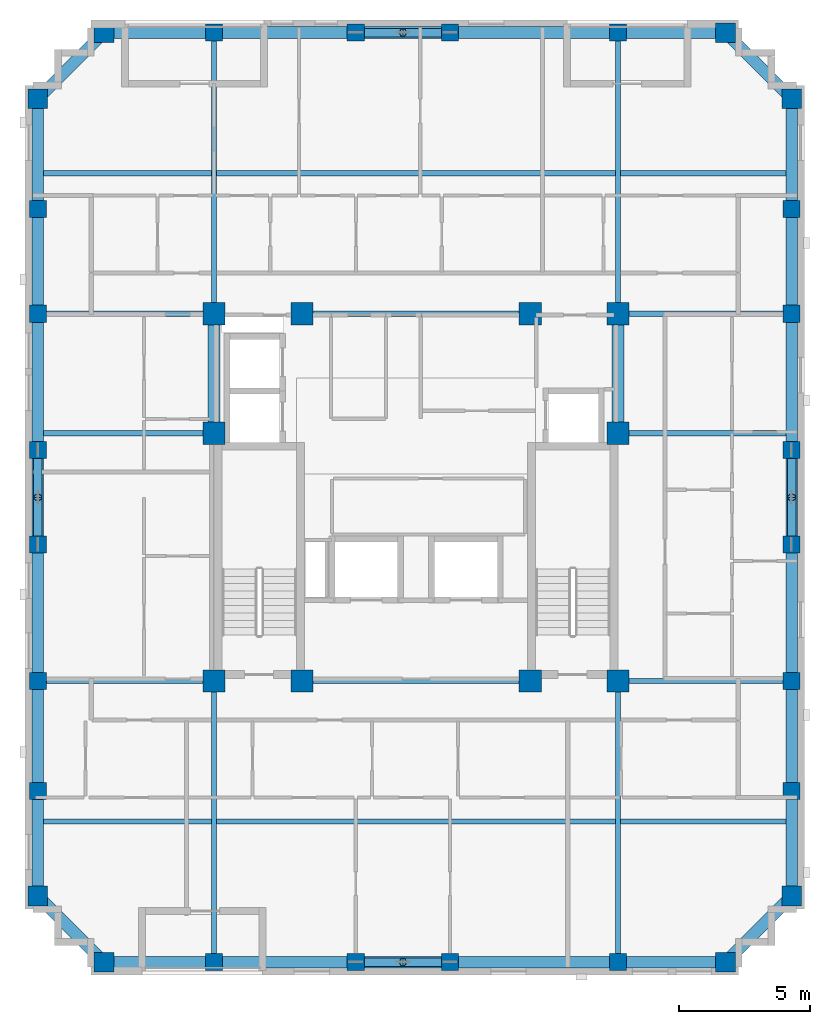
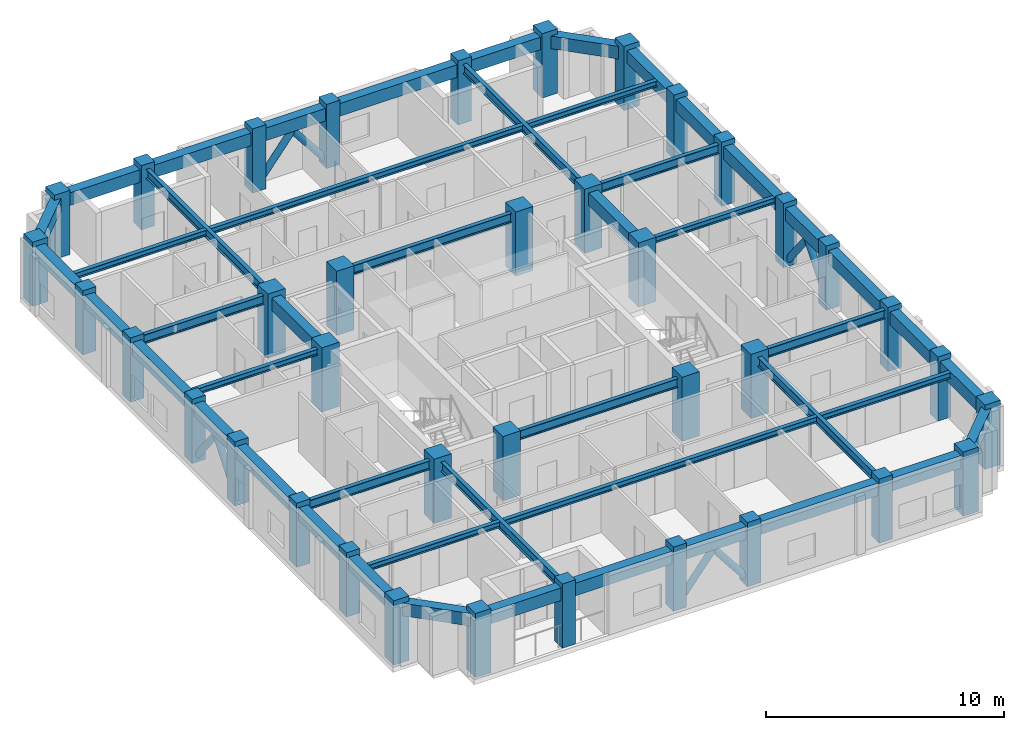
# One storey, part 1 of 10: 48 beams, 38 columns, 8 members.
"""IFC4 building model written with IfcOpenShell, lengths in metres."""

from ifc_helpers import new_model, si_unit, derived_unit, direction, frame, origin, origin_2d, place, context, subcontext, project, spatial, rectangle, hollow_circle, i_section, extrude, material, material_profile, profile_set, type_object, element, save


model = new_model("IFC4")

# Units and contexts
model_context = context("Model", 3, precision=1e-05, world=origin(), true_north=direction((0.0, 1.0)))
body_context = subcontext(model_context, "Body", "Model", "MODEL_VIEW")
ifc_project = project(units=[si_unit("LENGTHUNIT", "METRE"), si_unit("AREAUNIT", "SQUARE_METRE"), si_unit("VOLUMEUNIT", "CUBIC_METRE"), si_unit("PLANEANGLEUNIT", "RADIAN"), si_unit("MASSUNIT", "GRAM", prefix="KILO"), derived_unit("THERMALTRANSMITTANCEUNIT", [(si_unit("MASSUNIT", "GRAM", prefix="KILO"), 1), (si_unit("TIMEUNIT", "SECOND"), -3), (si_unit("THERMODYNAMICTEMPERATUREUNIT", "KELVIN"), -1)])], contexts=[model_context])

# Site, building, storey
site_placement = place(None, origin())
site = spatial("IfcSite", under=ifc_project, at=site_placement, CompositionType="ELEMENT")
building_placement = place(site_placement, origin())
building = spatial("IfcBuilding", under=site, at=building_placement, Name="Korrvale Station Residences", CompositionType="ELEMENT")
storey_placement = place(building_placement, frame((0.0, 0.0, 207.39990234375)))
storey = spatial("IfcBuildingStorey", under=building, at=storey_placement, Name="L60", CompositionType="ELEMENT", Elevation=207.39990234375)

# Columns
ifc_material_1 = material(Name="Concrete C50/60", Category="concrete")
ifc_material_profile_1 = material_profile(ifc_material_1, rectangle(XDim=0.64990234375, YDim=0.64990234375, at=origin_2d()), Name="RC650x650")
ifc_profile_set_1 = profile_set([ifc_material_profile_1], Name="Concrete C50/60")
column_type_1 = type_object("IfcColumnType", Name="COL-C-RC650x650-C5060", PredefinedType="COLUMN", material=ifc_profile_set_1)
for number, where, z_axis, x_axis, name in (
    (1, (17.800048828125, 4.280029296875, 0.0), (0.0, 0.0, 1.0), (1.0, 0.0, 0.0), "L60 Bundled-Tube South Column 02"),
    (2, (23.199951171875, 4.280029296875, 0.0), (0.0, 0.0, 1.0), (1.0, 0.0, 0.0), "L60 Bundled-Tube South Column 03"),
    (3, (26.800048828125, 4.280029296875, 0.0), (0.0, 0.0, 1.0), (1.0, 0.0, 0.0), "L60 Bundled-Tube South Column 04"),
    (4, (33.199951171875, 4.280029296875, 0.0), (0.0, 0.0, 1.0), (1.0, 0.0, 0.0), "L60 Bundled-Tube South Column 05"),
    (5, (17.800048828125, 39.719970703125, 0.0), (0.0, 0.0, 1.0), (1.0, 0.0, 0.0), "L60 Bundled-Tube North Column 08"),
    (6, (23.199951171875, 39.719970703125, 0.0), (0.0, 0.0, 1.0), (1.0, 0.0, 0.0), "L60 Bundled-Tube North Column 09"),
    (7, (26.800048828125, 39.719970703125, 0.0), (0.0, 0.0, 1.0), (1.0, 0.0, 0.0), "L60 Bundled-Tube North Column 10"),
    (8, (33.199951171875, 39.719970703125, 0.0), (0.0, 0.0, 1.0), (1.0, 0.0, 0.0), "L60 Bundled-Tube North Column 11"),
    (9, (11.080078125, 10.800048828125, 0.0), (0.0, 0.0, 1.0), (1.0, 0.0, 0.0), "L60 Bundled-Tube West Column 14"),
    (10, (11.080078125, 15.0, 0.0), (0.0, 0.0, 1.0), (1.0, 0.0, 0.0), "L60 Bundled-Tube West Column 15"),
    (11, (11.080078125, 20.199951171875, 0.0), (0.0, 0.0, 1.0), (1.0, 0.0, 0.0), "L60 Bundled-Tube West Column 16"),
    (12, (11.080078125, 23.800048828125, 0.0), (0.0, 0.0, 1.0), (1.0, 0.0, 0.0), "L60 Bundled-Tube West Column 17"),
    (13, (11.080078125, 29.0, 0.0), (0.0, 0.0, 1.0), (1.0, 0.0, 0.0), "L60 Bundled-Tube West Column 18"),
    (14, (11.080078125, 33.0, 0.0), (0.0, 0.0, 1.0), (1.0, 0.0, 0.0), "L60 Bundled-Tube West Column 19"),
    (15, (39.820068359375, 10.800048828125, 0.0), (0.0, 0.0, 1.0), (1.0, 0.0, 0.0), "L60 Bundled-Tube East Column 22"),
    (16, (39.820068359375, 15.0, 0.0), (0.0, 0.0, 1.0), (1.0, 0.0, 0.0), "L60 Bundled-Tube East Column 23"),
    (17, (39.820068359375, 20.199951171875, 0.0), (0.0, 0.0, 1.0), (1.0, 0.0, 0.0), "L60 Bundled-Tube East Column 24"),
    (18, (39.820068359375, 23.800048828125, 0.0), (0.0, 0.0, 1.0), (1.0, 0.0, 0.0), "L60 Bundled-Tube East Column 25"),
    (19, (39.820068359375, 29.0, 0.0), (0.0, 0.0, 1.0), (1.0, 0.0, 0.0), "L60 Bundled-Tube East Column 26"),
    (20, (39.820068359375, 33.0, 0.0), (0.0, 0.0, 1.0), (1.0, 0.0, 0.0), "L60 Bundled-Tube East Column 27"),
):
    element("IfcColumn", number, at=place(storey_placement, frame(where, z_axis=z_axis, x_axis=x_axis)), inside=storey, type_object=column_type_1, Name=name, PredefinedType="COLUMN", context=body_context, shape_type="SweptSolid", body=[
        extrude(rectangle(XDim=0.64990234375, YDim=0.64990234375, at=origin_2d()), origin(), (0.0, 0.0, 1.0), 3.300048828125),
    ])
ifc_material_profile_2 = material_profile(ifc_material_1, rectangle(XDim=0.75, YDim=0.75, at=origin_2d()), Name="RC750x750")
ifc_profile_set_2 = profile_set([ifc_material_profile_2], Name="Concrete C50/60")
column_type_2 = type_object("IfcColumnType", Name="COL-C-RC750x750-C5060", PredefinedType="COLUMN", material=ifc_profile_set_2)
for number, where, z_axis, x_axis, name in (
    (21, (13.60009765625, 4.280029296875, 0.0), (0.0, 0.0, 1.0), (1.0, 0.0, 0.0), "L60 Bundled-Tube South Column 01"),
    (22, (37.300048828125, 4.280029296875, 0.0), (0.0, 0.0, 1.0), (1.0, 0.0, 0.0), "L60 Bundled-Tube South Column 06"),
    (23, (13.60009765625, 39.719970703125, 0.0), (0.0, 0.0, 1.0), (1.0, 0.0, 0.0), "L60 Bundled-Tube North Column 07"),
    (24, (37.300048828125, 39.719970703125, 0.0), (0.0, 0.0, 1.0), (1.0, 0.0, 0.0), "L60 Bundled-Tube North Column 12"),
    (25, (11.080078125, 6.800048828125, 0.0), (0.0, 0.0, 1.0), (1.0, 0.0, 0.0), "L60 Bundled-Tube West Column 13"),
    (26, (11.080078125, 37.199951171875, 0.0), (0.0, 0.0, 1.0), (1.0, 0.0, 0.0), "L60 Bundled-Tube West Column 20"),
    (27, (39.820068359375, 6.800048828125, 0.0), (0.0, 0.0, 1.0), (1.0, 0.0, 0.0), "L60 Bundled-Tube East Column 21"),
    (28, (39.820068359375, 37.199951171875, 0.0), (0.0, 0.0, 1.0), (1.0, 0.0, 0.0), "L60 Bundled-Tube East Column 28"),
):
    element("IfcColumn", number, at=place(storey_placement, frame(where, z_axis=z_axis, x_axis=x_axis)), inside=storey, type_object=column_type_2, Name=name, PredefinedType="COLUMN", context=body_context, shape_type="SweptSolid", body=[
        extrude(rectangle(XDim=0.75, YDim=0.75, at=origin_2d()), origin(), (0.0, 0.0, 1.0), 3.300048828125),
    ])
ifc_material_profile_3 = material_profile(ifc_material_1, rectangle(XDim=0.85009765625, YDim=0.85009765625, at=origin_2d()), Name="RC850x850")
ifc_profile_set_3 = profile_set([ifc_material_profile_3], Name="Concrete C50/60")
column_type_3 = type_object("IfcColumnType", Name="COL-C-RC850x850-C5060", PredefinedType="COLUMN", material=ifc_profile_set_3)
for number, where, z_axis, x_axis, name in (
    (29, (17.800048828125, 15.0, 0.0), (0.0, 0.0, 1.0), (1.0, 0.0, 0.0), "L60 Core Column 01"),
    (30, (21.14990234375, 15.0, 0.0), (0.0, 0.0, 1.0), (1.0, 0.0, 0.0), "L60 Core Column 02"),
    (31, (29.85009765625, 15.0, 0.0), (0.0, 0.0, 1.0), (1.0, 0.0, 0.0), "L60 Core Column 03"),
    (32, (33.199951171875, 15.0, 0.0), (0.0, 0.0, 1.0), (1.0, 0.0, 0.0), "L60 Core Column 04"),
    (33, (17.800048828125, 29.0, 0.0), (0.0, 0.0, 1.0), (1.0, 0.0, 0.0), "L60 Core Column 05"),
    (34, (21.14990234375, 29.0, 0.0), (0.0, 0.0, 1.0), (1.0, 0.0, 0.0), "L60 Core Column 06"),
    (35, (29.85009765625, 29.0, 0.0), (0.0, 0.0, 1.0), (1.0, 0.0, 0.0), "L60 Core Column 07"),
    (36, (33.199951171875, 29.0, 0.0), (0.0, 0.0, 1.0), (1.0, 0.0, 0.0), "L60 Core Column 08"),
    (37, (17.800048828125, 24.449951171875, 0.0), (0.0, 0.0, 1.0), (1.0, 0.0, 0.0), "L60 Core Column 09"),
    (38, (33.199951171875, 24.449951171875, 0.0), (0.0, 0.0, 1.0), (1.0, 0.0, 0.0), "L60 Core Column 10"),
):
    element("IfcColumn", number, at=place(storey_placement, frame(where, z_axis=z_axis, x_axis=x_axis)), inside=storey, type_object=column_type_3, Name=name, PredefinedType="COLUMN", context=body_context, shape_type="SweptSolid", body=[
        extrude(rectangle(XDim=0.85009765625, YDim=0.85009765625, at=origin_2d()), origin(), (0.0, 0.0, 1.0), 3.300048828125),
    ])

# Beams
ifc_material_2 = material(Name="Steel S355", Category="steel")
ifc_material_profile_4 = material_profile(ifc_material_2, i_section(OverallWidth=0.194091796875, OverallDepth=0.468994140625, WebThickness=0.0126953125, FlangeThickness=0.0205078125, FilletRadius=0.01611328125, at=origin_2d()), Name="W460x106")
ifc_profile_set_4 = profile_set([ifc_material_profile_4], Name="Steel S355")
beam_type_1 = type_object("IfcBeamType", Name="BM-BM-W460x106-S355", PredefinedType="BEAM", material=ifc_profile_set_4)
for number, where, z_axis, x_axis, name in (
    (39, (17.800048828125, 4.280029296875, 2.8056640625), (0.0, 1.0, 0.0), (-1.0, 0.0, 0.0), "L60 Bundled-Tube Web Girder 01"),
    (40, (33.199951171875, 4.280029296875, 2.8056640625), (0.0, 1.0, 0.0), (-1.0, 0.0, 0.0), "L60 Bundled-Tube Web Girder 02"),
    (41, (17.800048828125, 29.0, 2.8056640625), (0.0, 1.0, 0.0), (-1.0, 0.0, 0.0), "L60 Bundled-Tube Web Girder 03"),
    (42, (33.199951171875, 29.0, 2.8056640625), (0.0, 1.0, 0.0), (-1.0, 0.0, 0.0), "L60 Bundled-Tube Web Girder 04"),
):
    element("IfcBeam", number, at=place(storey_placement, frame(where, z_axis=z_axis, x_axis=x_axis)), inside=storey, type_object=beam_type_1, Name=name, PredefinedType="BEAM", context=body_context, shape_type="SweptSolid", body=[
        extrude(i_section(OverallWidth=0.194091796875, OverallDepth=0.468994140625, WebThickness=0.0126953125, FlangeThickness=0.0205078125, FilletRadius=0.01611328125, at=origin_2d()), origin(), (0.0, 0.0, 1.0), 10.719970703125),
    ])
beam_1_placement = place(storey_placement, frame((11.080078125, 15.0, 2.8056640625), z_axis=(1.0, 0.0, 0.0), x_axis=(0.0, 1.0, 0.0)))
element("IfcBeam", 43, at=beam_1_placement, inside=storey, type_object=beam_type_1, Name="L60 Bundled-Tube Web Girder 05", PredefinedType="BEAM", context=body_context, shape_type="SweptSolid", body=[
    extrude(i_section(OverallWidth=0.194091796875, OverallDepth=0.468994140625, WebThickness=0.0126953125, FlangeThickness=0.0205078125, FilletRadius=0.01611328125, at=origin_2d()), origin(), (0.0, 0.0, 1.0), 6.719970703125),
])
beam_2_placement = place(storey_placement, frame((33.199951171875, 15.0, 2.8056640625), z_axis=(1.0, 0.0, 0.0), x_axis=(0.0, 1.0, 0.0)))
element("IfcBeam", 44, at=beam_2_placement, inside=storey, type_object=beam_type_1, Name="L60 Bundled-Tube Web Girder 06", PredefinedType="BEAM", context=body_context, shape_type="SweptSolid", body=[
    extrude(i_section(OverallWidth=0.194091796875, OverallDepth=0.468994140625, WebThickness=0.0126953125, FlangeThickness=0.0205078125, FilletRadius=0.01611328125, at=origin_2d()), origin(), (0.0, 0.0, 1.0), 6.6201171875),
])
beam_3_placement = place(storey_placement, frame((11.080078125, 29.0, 2.8056640625), z_axis=(1.0, 0.0, 0.0), x_axis=(0.0, 1.0, 0.0)))
element("IfcBeam", 45, at=beam_3_placement, inside=storey, type_object=beam_type_1, Name="L60 Bundled-Tube Web Girder 07", PredefinedType="BEAM", context=body_context, shape_type="SweptSolid", body=[
    extrude(i_section(OverallWidth=0.194091796875, OverallDepth=0.468994140625, WebThickness=0.0126953125, FlangeThickness=0.0205078125, FilletRadius=0.01611328125, at=origin_2d()), origin(), (0.0, 0.0, 1.0), 6.719970703125),
])
beam_4_placement = place(storey_placement, frame((33.199951171875, 29.0, 2.8056640625), z_axis=(1.0, 0.0, 0.0), x_axis=(0.0, 1.0, 0.0)))
element("IfcBeam", 46, at=beam_4_placement, inside=storey, type_object=beam_type_1, Name="L60 Bundled-Tube Web Girder 08", PredefinedType="BEAM", context=body_context, shape_type="SweptSolid", body=[
    extrude(i_section(OverallWidth=0.194091796875, OverallDepth=0.468994140625, WebThickness=0.0126953125, FlangeThickness=0.0205078125, FilletRadius=0.01611328125, at=origin_2d()), origin(), (0.0, 0.0, 1.0), 6.6201171875),
])
for number, where, z_axis, x_axis, name in (
    (47, (21.14990234375, 15.0, 2.8056640625), (1.0, 0.0, 0.0), (0.0, 1.0, 0.0), "L60 Bundled-Tube Web Girder 09"),
    (48, (21.14990234375, 29.0, 2.8056640625), (1.0, 0.0, 0.0), (0.0, 1.0, 0.0), "L60 Bundled-Tube Web Girder 10"),
):
    element("IfcBeam", number, at=place(storey_placement, frame(where, z_axis=z_axis, x_axis=x_axis)), inside=storey, type_object=beam_type_1, Name=name, PredefinedType="BEAM", context=body_context, shape_type="SweptSolid", body=[
        extrude(i_section(OverallWidth=0.194091796875, OverallDepth=0.468994140625, WebThickness=0.0126953125, FlangeThickness=0.0205078125, FilletRadius=0.01611328125, at=origin_2d()), origin(), (0.0, 0.0, 1.0), 8.7001953125),
    ])
ifc_material_profile_5 = material_profile(ifc_material_2, i_section(OverallWidth=0.202880859375, OverallDepth=0.302978515625, WebThickness=0.007568359375, FlangeThickness=0.01318359375, FilletRadius=0.014892578125, at=origin_2d()), Name="W310x60")
ifc_profile_set_5 = profile_set([ifc_material_profile_5], Name="Steel S355")
beam_type_2 = type_object("IfcBeamType", Name="BM-JST-W310x60-S355", PredefinedType="JOIST", material=ifc_profile_set_5)
beam_5_placement = place(storey_placement, frame((11.304931640625, 9.639892578125, 2.888671875), z_axis=(1.0, 0.0, 0.0), x_axis=(0.0, 1.0, 0.0)))
element("IfcBeam", 49, at=beam_5_placement, inside=storey, type_object=beam_type_2, Name="L60 Floor Framing Joist 01", PredefinedType="JOIST", context=body_context, shape_type="SweptSolid", body=[
    extrude(i_section(OverallWidth=0.202880859375, OverallDepth=0.302978515625, WebThickness=0.007568359375, FlangeThickness=0.01318359375, FilletRadius=0.014892578125, at=origin_2d()), origin(), (0.0, 0.0, 1.0), 6.39794921875),
])
beam_6_placement = place(storey_placement, frame((17.89697265625, 9.639892578125, 2.888671875), z_axis=(1.0, 0.0, 0.0), x_axis=(0.0, 1.0, 0.0)))
element("IfcBeam", 50, at=beam_6_placement, inside=storey, type_object=beam_type_2, Name="L60 Floor Framing Joist 02", PredefinedType="JOIST", context=body_context, shape_type="SweptSolid", body=[
    extrude(i_section(OverallWidth=0.202880859375, OverallDepth=0.302978515625, WebThickness=0.007568359375, FlangeThickness=0.01318359375, FilletRadius=0.014892578125, at=origin_2d()), origin(), (0.0, 0.0, 1.0), 15.2060546875),
])
beam_7_placement = place(storey_placement, frame((33.297119140625, 9.639892578125, 2.888671875), z_axis=(1.0, 0.0, 0.0), x_axis=(0.0, 1.0, 0.0)))
element("IfcBeam", 51, at=beam_7_placement, inside=storey, type_object=beam_type_2, Name="L60 Floor Framing Joist 03", PredefinedType="JOIST", context=body_context, shape_type="SweptSolid", body=[
    extrude(i_section(OverallWidth=0.202880859375, OverallDepth=0.302978515625, WebThickness=0.007568359375, FlangeThickness=0.01318359375, FilletRadius=0.014892578125, at=origin_2d()), origin(), (0.0, 0.0, 1.0), 6.2978515625),
])
beam_8_placement = place(storey_placement, frame((11.304931640625, 34.360107421875, 2.888671875), z_axis=(1.0, 0.0, 0.0), x_axis=(0.0, 1.0, 0.0)))
element("IfcBeam", 52, at=beam_8_placement, inside=storey, type_object=beam_type_2, Name="L60 Floor Framing Joist 04", PredefinedType="JOIST", context=body_context, shape_type="SweptSolid", body=[
    extrude(i_section(OverallWidth=0.202880859375, OverallDepth=0.302978515625, WebThickness=0.007568359375, FlangeThickness=0.01318359375, FilletRadius=0.014892578125, at=origin_2d()), origin(), (0.0, 0.0, 1.0), 6.39794921875),
])
beam_9_placement = place(storey_placement, frame((17.89697265625, 34.360107421875, 2.888671875), z_axis=(1.0, 0.0, 0.0), x_axis=(0.0, 1.0, 0.0)))
element("IfcBeam", 53, at=beam_9_placement, inside=storey, type_object=beam_type_2, Name="L60 Floor Framing Joist 05", PredefinedType="JOIST", context=body_context, shape_type="SweptSolid", body=[
    extrude(i_section(OverallWidth=0.202880859375, OverallDepth=0.302978515625, WebThickness=0.007568359375, FlangeThickness=0.01318359375, FilletRadius=0.014892578125, at=origin_2d()), origin(), (0.0, 0.0, 1.0), 15.2060546875),
])
beam_10_placement = place(storey_placement, frame((33.297119140625, 34.360107421875, 2.888671875), z_axis=(1.0, 0.0, 0.0), x_axis=(0.0, 1.0, 0.0)))
element("IfcBeam", 54, at=beam_10_placement, inside=storey, type_object=beam_type_2, Name="L60 Floor Framing Joist 06", PredefinedType="JOIST", context=body_context, shape_type="SweptSolid", body=[
    extrude(i_section(OverallWidth=0.202880859375, OverallDepth=0.302978515625, WebThickness=0.007568359375, FlangeThickness=0.01318359375, FilletRadius=0.014892578125, at=origin_2d()), origin(), (0.0, 0.0, 1.0), 6.2978515625),
])
beam_11_placement = place(storey_placement, frame((33.425048828125, 24.449951171875, 2.888671875), z_axis=(1.0, 0.0, 0.0), x_axis=(0.0, 1.0, 0.0)))
element("IfcBeam", 55, at=beam_11_placement, inside=storey, type_object=beam_type_2, Name="L60 Floor Framing Joist 07", PredefinedType="JOIST", context=body_context, shape_type="SweptSolid", body=[
    extrude(i_section(OverallWidth=0.202880859375, OverallDepth=0.302978515625, WebThickness=0.007568359375, FlangeThickness=0.01318359375, FilletRadius=0.014892578125, at=origin_2d()), origin(), (0.0, 0.0, 1.0), 6.169921875),
])
beam_12_placement = place(storey_placement, frame((11.304931640625, 24.449951171875, 2.888671875), z_axis=(1.0, 0.0, 0.0), x_axis=(0.0, 1.0, 0.0)))
element("IfcBeam", 56, at=beam_12_placement, inside=storey, type_object=beam_type_2, Name="L60 Floor Framing Joist 08", PredefinedType="JOIST", context=body_context, shape_type="SweptSolid", body=[
    extrude(i_section(OverallWidth=0.202880859375, OverallDepth=0.302978515625, WebThickness=0.007568359375, FlangeThickness=0.01318359375, FilletRadius=0.014892578125, at=origin_2d()), origin(), (0.0, 0.0, 1.0), 6.27001953125),
])
ifc_material_profile_6 = material_profile(ifc_material_1, rectangle(XDim=0.449951171875, YDim=0.64990234375, at=origin_2d()), Name="RCB450x650")
ifc_profile_set_6 = profile_set([ifc_material_profile_6], Name="Concrete C50/60")
beam_type_3 = type_object("IfcBeamType", Name="BM-LNT-RCB450x650-C5060", PredefinedType="LINTEL", material=ifc_profile_set_6)
for number, where, z_axis, x_axis, name in (
    (57, (17.800048828125, 24.449951171875, 2.715087890625), (0.0, 1.0, 0.0), (-1.0, 0.0, 0.0), "L60 Core Coupling Lintel 1"),
    (58, (33.199951171875, 24.449951171875, 2.715087890625), (0.0, 1.0, 0.0), (-1.0, 0.0, 0.0), "L60 Core Coupling Lintel 2"),
):
    element("IfcBeam", number, at=place(storey_placement, frame(where, z_axis=z_axis, x_axis=x_axis)), inside=storey, type_object=beam_type_3, Name=name, PredefinedType="LINTEL", context=body_context, shape_type="SweptSolid", body=[
        extrude(rectangle(XDim=0.449951171875, YDim=0.64990234375, at=origin_2d()), origin(), (0.0, 0.0, 1.0), 4.550048828125),
    ])
ifc_material_profile_7 = material_profile(ifc_material_1, rectangle(XDim=0.449951171875, YDim=0.64990234375, at=origin_2d()), Name="RCB450x650")
ifc_profile_set_7 = profile_set([ifc_material_profile_7], Name="Concrete C50/60")
beam_type_4 = type_object("IfcBeamType", Name="BM-SPB-RCB450x650-C5060", PredefinedType="SPANDREL", material=ifc_profile_set_7)
beam_13_placement = place(storey_placement, frame((13.60009765625, 4.280029296875, 2.715087890625), z_axis=(1.0, 0.0, 0.0), x_axis=(0.0, 1.0, 0.0)))
element("IfcBeam", 59, at=beam_13_placement, inside=storey, type_object=beam_type_4, Name="L60 South Tube Spandrel 01", PredefinedType="SPANDREL", context=body_context, shape_type="SweptSolid", body=[
    extrude(rectangle(XDim=0.449951171875, YDim=0.64990234375, at=origin_2d()), origin(), (0.0, 0.0, 1.0), 4.199951171875),
])
beam_14_placement = place(storey_placement, frame((17.800048828125, 4.280029296875, 2.715087890625), z_axis=(1.0, 0.0, 0.0), x_axis=(0.0, 1.0, 0.0)))
element("IfcBeam", 60, at=beam_14_placement, inside=storey, type_object=beam_type_4, Name="L60 South Tube Spandrel 02", PredefinedType="SPANDREL", context=body_context, shape_type="SweptSolid", body=[
    extrude(rectangle(XDim=0.449951171875, YDim=0.64990234375, at=origin_2d()), origin(), (0.0, 0.0, 1.0), 5.39990234375),
])
beam_15_placement = place(storey_placement, frame((23.199951171875, 4.280029296875, 2.715087890625), z_axis=(1.0, 0.0, 0.0), x_axis=(0.0, 1.0, 0.0)))
element("IfcBeam", 61, at=beam_15_placement, inside=storey, type_object=beam_type_4, Name="L60 South Tube Spandrel 03", PredefinedType="SPANDREL", context=body_context, shape_type="SweptSolid", body=[
    extrude(rectangle(XDim=0.449951171875, YDim=0.64990234375, at=origin_2d()), origin(), (0.0, 0.0, 1.0), 3.60009765625),
])
beam_16_placement = place(storey_placement, frame((26.800048828125, 4.280029296875, 2.715087890625), z_axis=(1.0, 0.0, 0.0), x_axis=(0.0, 1.0, 0.0)))
element("IfcBeam", 62, at=beam_16_placement, inside=storey, type_object=beam_type_4, Name="L60 South Tube Spandrel 04", PredefinedType="SPANDREL", context=body_context, shape_type="SweptSolid", body=[
    extrude(rectangle(XDim=0.449951171875, YDim=0.64990234375, at=origin_2d()), origin(), (0.0, 0.0, 1.0), 6.39990234375),
])
beam_17_placement = place(storey_placement, frame((33.199951171875, 4.280029296875, 2.715087890625), z_axis=(1.0, 0.0, 0.0), x_axis=(0.0, 1.0, 0.0)))
element("IfcBeam", 63, at=beam_17_placement, inside=storey, type_object=beam_type_4, Name="L60 South Tube Spandrel 05", PredefinedType="SPANDREL", context=body_context, shape_type="SweptSolid", body=[
    extrude(rectangle(XDim=0.449951171875, YDim=0.64990234375, at=origin_2d()), origin(), (0.0, 0.0, 1.0), 4.10009765625),
])
beam_18_placement = place(storey_placement, frame((13.60009765625, 39.719970703125, 2.715087890625), z_axis=(1.0, 0.0, 0.0), x_axis=(0.0, 1.0, 0.0)))
element("IfcBeam", 64, at=beam_18_placement, inside=storey, type_object=beam_type_4, Name="L60 North Tube Spandrel 06", PredefinedType="SPANDREL", context=body_context, shape_type="SweptSolid", body=[
    extrude(rectangle(XDim=0.449951171875, YDim=0.64990234375, at=origin_2d()), origin(), (0.0, 0.0, 1.0), 4.199951171875),
])
beam_19_placement = place(storey_placement, frame((17.800048828125, 39.719970703125, 2.715087890625), z_axis=(1.0, 0.0, 0.0), x_axis=(0.0, 1.0, 0.0)))
element("IfcBeam", 65, at=beam_19_placement, inside=storey, type_object=beam_type_4, Name="L60 North Tube Spandrel 07", PredefinedType="SPANDREL", context=body_context, shape_type="SweptSolid", body=[
    extrude(rectangle(XDim=0.449951171875, YDim=0.64990234375, at=origin_2d()), origin(), (0.0, 0.0, 1.0), 5.39990234375),
])
beam_20_placement = place(storey_placement, frame((23.199951171875, 39.719970703125, 2.715087890625), z_axis=(1.0, 0.0, 0.0), x_axis=(0.0, 1.0, 0.0)))
element("IfcBeam", 66, at=beam_20_placement, inside=storey, type_object=beam_type_4, Name="L60 North Tube Spandrel 08", PredefinedType="SPANDREL", context=body_context, shape_type="SweptSolid", body=[
    extrude(rectangle(XDim=0.449951171875, YDim=0.64990234375, at=origin_2d()), origin(), (0.0, 0.0, 1.0), 3.60009765625),
])
beam_21_placement = place(storey_placement, frame((26.800048828125, 39.719970703125, 2.715087890625), z_axis=(1.0, 0.0, 0.0), x_axis=(0.0, 1.0, 0.0)))
element("IfcBeam", 67, at=beam_21_placement, inside=storey, type_object=beam_type_4, Name="L60 North Tube Spandrel 09", PredefinedType="SPANDREL", context=body_context, shape_type="SweptSolid", body=[
    extrude(rectangle(XDim=0.449951171875, YDim=0.64990234375, at=origin_2d()), origin(), (0.0, 0.0, 1.0), 6.39990234375),
])
beam_22_placement = place(storey_placement, frame((33.199951171875, 39.719970703125, 2.715087890625), z_axis=(1.0, 0.0, 0.0), x_axis=(0.0, 1.0, 0.0)))
element("IfcBeam", 68, at=beam_22_placement, inside=storey, type_object=beam_type_4, Name="L60 North Tube Spandrel 10", PredefinedType="SPANDREL", context=body_context, shape_type="SweptSolid", body=[
    extrude(rectangle(XDim=0.449951171875, YDim=0.64990234375, at=origin_2d()), origin(), (0.0, 0.0, 1.0), 4.10009765625),
])
beam_23_placement = place(storey_placement, frame((11.080078125, 6.800048828125, 2.715087890625), z_axis=(0.0, 1.0, 0.0), x_axis=(-1.0, 0.0, 0.0)))
element("IfcBeam", 69, at=beam_23_placement, inside=storey, type_object=beam_type_4, Name="L60 West Tube Spandrel 11", PredefinedType="SPANDREL", context=body_context, shape_type="SweptSolid", body=[
    extrude(rectangle(XDim=0.449951171875, YDim=0.64990234375, at=origin_2d()), origin(), (0.0, 0.0, 1.0), 4.0),
])
beam_24_placement = place(storey_placement, frame((11.080078125, 10.800048828125, 2.715087890625), z_axis=(0.0, 1.0, 0.0), x_axis=(-1.0, 0.0, 0.0)))
element("IfcBeam", 70, at=beam_24_placement, inside=storey, type_object=beam_type_4, Name="L60 West Tube Spandrel 12", PredefinedType="SPANDREL", context=body_context, shape_type="SweptSolid", body=[
    extrude(rectangle(XDim=0.449951171875, YDim=0.64990234375, at=origin_2d()), origin(), (0.0, 0.0, 1.0), 4.199951171875),
])
beam_25_placement = place(storey_placement, frame((11.080078125, 15.0, 2.715087890625), z_axis=(0.0, 1.0, 0.0), x_axis=(-1.0, 0.0, 0.0)))
element("IfcBeam", 71, at=beam_25_placement, inside=storey, type_object=beam_type_4, Name="L60 West Tube Spandrel 13", PredefinedType="SPANDREL", context=body_context, shape_type="SweptSolid", body=[
    extrude(rectangle(XDim=0.449951171875, YDim=0.64990234375, at=origin_2d()), origin(), (0.0, 0.0, 1.0), 5.199951171875),
])
beam_26_placement = place(storey_placement, frame((11.080078125, 20.199951171875, 2.715087890625), z_axis=(0.0, 1.0, 0.0), x_axis=(-1.0, 0.0, 0.0)))
element("IfcBeam", 72, at=beam_26_placement, inside=storey, type_object=beam_type_4, Name="L60 West Tube Spandrel 14", PredefinedType="SPANDREL", context=body_context, shape_type="SweptSolid", body=[
    extrude(rectangle(XDim=0.449951171875, YDim=0.64990234375, at=origin_2d()), origin(), (0.0, 0.0, 1.0), 3.60009765625),
])
beam_27_placement = place(storey_placement, frame((11.080078125, 23.800048828125, 2.715087890625), z_axis=(0.0, 1.0, 0.0), x_axis=(-1.0, 0.0, 0.0)))
element("IfcBeam", 73, at=beam_27_placement, inside=storey, type_object=beam_type_4, Name="L60 West Tube Spandrel 15", PredefinedType="SPANDREL", context=body_context, shape_type="SweptSolid", body=[
    extrude(rectangle(XDim=0.449951171875, YDim=0.64990234375, at=origin_2d()), origin(), (0.0, 0.0, 1.0), 5.199951171875),
])
beam_28_placement = place(storey_placement, frame((11.080078125, 29.0, 2.715087890625), z_axis=(0.0, 1.0, 0.0), x_axis=(-1.0, 0.0, 0.0)))
element("IfcBeam", 74, at=beam_28_placement, inside=storey, type_object=beam_type_4, Name="L60 West Tube Spandrel 16", PredefinedType="SPANDREL", context=body_context, shape_type="SweptSolid", body=[
    extrude(rectangle(XDim=0.449951171875, YDim=0.64990234375, at=origin_2d()), origin(), (0.0, 0.0, 1.0), 4.0),
])
beam_29_placement = place(storey_placement, frame((11.080078125, 33.0, 2.715087890625), z_axis=(0.0, 1.0, 0.0), x_axis=(-1.0, 0.0, 0.0)))
element("IfcBeam", 75, at=beam_29_placement, inside=storey, type_object=beam_type_4, Name="L60 West Tube Spandrel 17", PredefinedType="SPANDREL", context=body_context, shape_type="SweptSolid", body=[
    extrude(rectangle(XDim=0.449951171875, YDim=0.64990234375, at=origin_2d()), origin(), (0.0, 0.0, 1.0), 4.199951171875),
])
beam_30_placement = place(storey_placement, frame((39.820068359375, 6.800048828125, 2.715087890625), z_axis=(0.0, 1.0, 0.0), x_axis=(-1.0, 0.0, 0.0)))
element("IfcBeam", 76, at=beam_30_placement, inside=storey, type_object=beam_type_4, Name="L60 East Tube Spandrel 18", PredefinedType="SPANDREL", context=body_context, shape_type="SweptSolid", body=[
    extrude(rectangle(XDim=0.449951171875, YDim=0.64990234375, at=origin_2d()), origin(), (0.0, 0.0, 1.0), 4.0),
])
beam_31_placement = place(storey_placement, frame((39.820068359375, 10.800048828125, 2.715087890625), z_axis=(0.0, 1.0, 0.0), x_axis=(-1.0, 0.0, 0.0)))
element("IfcBeam", 77, at=beam_31_placement, inside=storey, type_object=beam_type_4, Name="L60 East Tube Spandrel 19", PredefinedType="SPANDREL", context=body_context, shape_type="SweptSolid", body=[
    extrude(rectangle(XDim=0.449951171875, YDim=0.64990234375, at=origin_2d()), origin(), (0.0, 0.0, 1.0), 4.199951171875),
])
beam_32_placement = place(storey_placement, frame((39.820068359375, 15.0, 2.715087890625), z_axis=(0.0, 1.0, 0.0), x_axis=(-1.0, 0.0, 0.0)))
element("IfcBeam", 78, at=beam_32_placement, inside=storey, type_object=beam_type_4, Name="L60 East Tube Spandrel 20", PredefinedType="SPANDREL", context=body_context, shape_type="SweptSolid", body=[
    extrude(rectangle(XDim=0.449951171875, YDim=0.64990234375, at=origin_2d()), origin(), (0.0, 0.0, 1.0), 5.199951171875),
])
beam_33_placement = place(storey_placement, frame((39.820068359375, 20.199951171875, 2.715087890625), z_axis=(0.0, 1.0, 0.0), x_axis=(-1.0, 0.0, 0.0)))
element("IfcBeam", 79, at=beam_33_placement, inside=storey, type_object=beam_type_4, Name="L60 East Tube Spandrel 21", PredefinedType="SPANDREL", context=body_context, shape_type="SweptSolid", body=[
    extrude(rectangle(XDim=0.449951171875, YDim=0.64990234375, at=origin_2d()), origin(), (0.0, 0.0, 1.0), 3.60009765625),
])
beam_34_placement = place(storey_placement, frame((39.820068359375, 23.800048828125, 2.715087890625), z_axis=(0.0, 1.0, 0.0), x_axis=(-1.0, 0.0, 0.0)))
element("IfcBeam", 80, at=beam_34_placement, inside=storey, type_object=beam_type_4, Name="L60 East Tube Spandrel 22", PredefinedType="SPANDREL", context=body_context, shape_type="SweptSolid", body=[
    extrude(rectangle(XDim=0.449951171875, YDim=0.64990234375, at=origin_2d()), origin(), (0.0, 0.0, 1.0), 5.199951171875),
])
beam_35_placement = place(storey_placement, frame((39.820068359375, 29.0, 2.715087890625), z_axis=(0.0, 1.0, 0.0), x_axis=(-1.0, 0.0, 0.0)))
element("IfcBeam", 81, at=beam_35_placement, inside=storey, type_object=beam_type_4, Name="L60 East Tube Spandrel 23", PredefinedType="SPANDREL", context=body_context, shape_type="SweptSolid", body=[
    extrude(rectangle(XDim=0.449951171875, YDim=0.64990234375, at=origin_2d()), origin(), (0.0, 0.0, 1.0), 4.0),
])
beam_36_placement = place(storey_placement, frame((39.820068359375, 33.0, 2.715087890625), z_axis=(0.0, 1.0, 0.0), x_axis=(-1.0, 0.0, 0.0)))
element("IfcBeam", 82, at=beam_36_placement, inside=storey, type_object=beam_type_4, Name="L60 East Tube Spandrel 24", PredefinedType="SPANDREL", context=body_context, shape_type="SweptSolid", body=[
    extrude(rectangle(XDim=0.449951171875, YDim=0.64990234375, at=origin_2d()), origin(), (0.0, 0.0, 1.0), 4.199951171875),
])
for number, where, z_axis, x_axis, name in (
    (83, (13.60009765625, 4.280029296875, 2.715087890625), (-0.707106781187, 0.707106781187, 0.0), (-0.707106781187, -0.707106781187, 0.0), "L60 Serrated Corner Spandrel 25"),
    (84, (37.300048828125, 4.280029296875, 2.715087890625), (0.707106781187, 0.707106781187, 0.0), (-0.707106781187, 0.707106781187, 0.0), "L60 Serrated Corner Spandrel 26"),
    (85, (37.300048828125, 39.719970703125, 2.715087890625), (0.707106781187, -0.707106781187, 0.0), (0.707106781187, 0.707106781187, 0.0), "L60 Serrated Corner Spandrel 27"),
    (86, (13.60009765625, 39.719970703125, 2.715087890625), (-0.707106781187, -0.707106781187, 0.0), (0.707106781187, -0.707106781187, 0.0), "L60 Serrated Corner Spandrel 28"),
):
    element("IfcBeam", number, at=place(storey_placement, frame(where, z_axis=z_axis, x_axis=x_axis)), inside=storey, type_object=beam_type_4, Name=name, PredefinedType="SPANDREL", context=body_context, shape_type="SweptSolid", body=[
        extrude(rectangle(XDim=0.449951171875, YDim=0.64990234375, at=origin_2d()), origin(), (0.0, 0.0, 1.0), 3.56396484375),
    ])

# Members
ifc_material_profile_8 = material_profile(ifc_material_2, hollow_circle(Radius=0.161865234375, WallThickness=0.015869140625, at=origin_2d()), Name="HSS324x16")
ifc_profile_set_8 = profile_set([ifc_material_profile_8], Name="Steel S355")
member_type = type_object("IfcMemberType", Name="MBR-BR-HSS324x16", PredefinedType="BRACE", material=ifc_profile_set_8)
for number, where, z_axis, x_axis, name in (
    (87, (23.199951171875, 4.280029296875, 0.02001953125), (0.617977009695, 0.0, 0.786196168579), (0.0, 1.0, 0.0), "L60 S Perimeter Tube Wind Brace 1"),
    (88, (26.800048828125, 4.280029296875, 0.02001953125), (-0.617977009695, 0.0, 0.786196168579), (0.0, -1.0, 0.0), "L60 S Perimeter Tube Wind Brace 2"),
    (89, (23.199951171875, 39.719970703125, 0.02001953125), (0.617977009695, 0.0, 0.786196168579), (0.0, 1.0, 0.0), "L60 N Perimeter Tube Wind Brace 1"),
    (90, (26.800048828125, 39.719970703125, 0.02001953125), (-0.617977009695, 0.0, 0.786196168579), (0.0, -1.0, 0.0), "L60 N Perimeter Tube Wind Brace 2"),
    (91, (11.080078125, 20.199951171875, 0.02001953125), (0.0, 0.617977009695, 0.786196168579), (-1.0, 0.0, 0.0), "L60 W Perimeter Tube Wind Brace 1"),
    (92, (11.080078125, 23.800048828125, 0.02001953125), (0.0, -0.617977009695, 0.786196168579), (1.0, 0.0, 0.0), "L60 W Perimeter Tube Wind Brace 2"),
    (93, (39.820068359375, 20.199951171875, 0.02001953125), (0.0, 0.617977009695, 0.786196168579), (-1.0, 0.0, 0.0), "L60 E Perimeter Tube Wind Brace 1"),
    (94, (39.820068359375, 23.800048828125, 0.02001953125), (0.0, -0.617977009695, 0.786196168579), (1.0, 0.0, 0.0), "L60 E Perimeter Tube Wind Brace 2"),
):
    element("IfcMember", number, at=place(storey_placement, frame(where, z_axis=z_axis, x_axis=x_axis)), inside=storey, type_object=member_type, Name=name, PredefinedType="BRACE", context=body_context, shape_type="SweptSolid", body=[
        extrude(hollow_circle(Radius=0.161865234375, WallThickness=0.015869140625, at=origin_2d()), origin(), (0.0, 0.0, 1.0), 2.912841796875),
    ])

save(model, "model.ifc")
